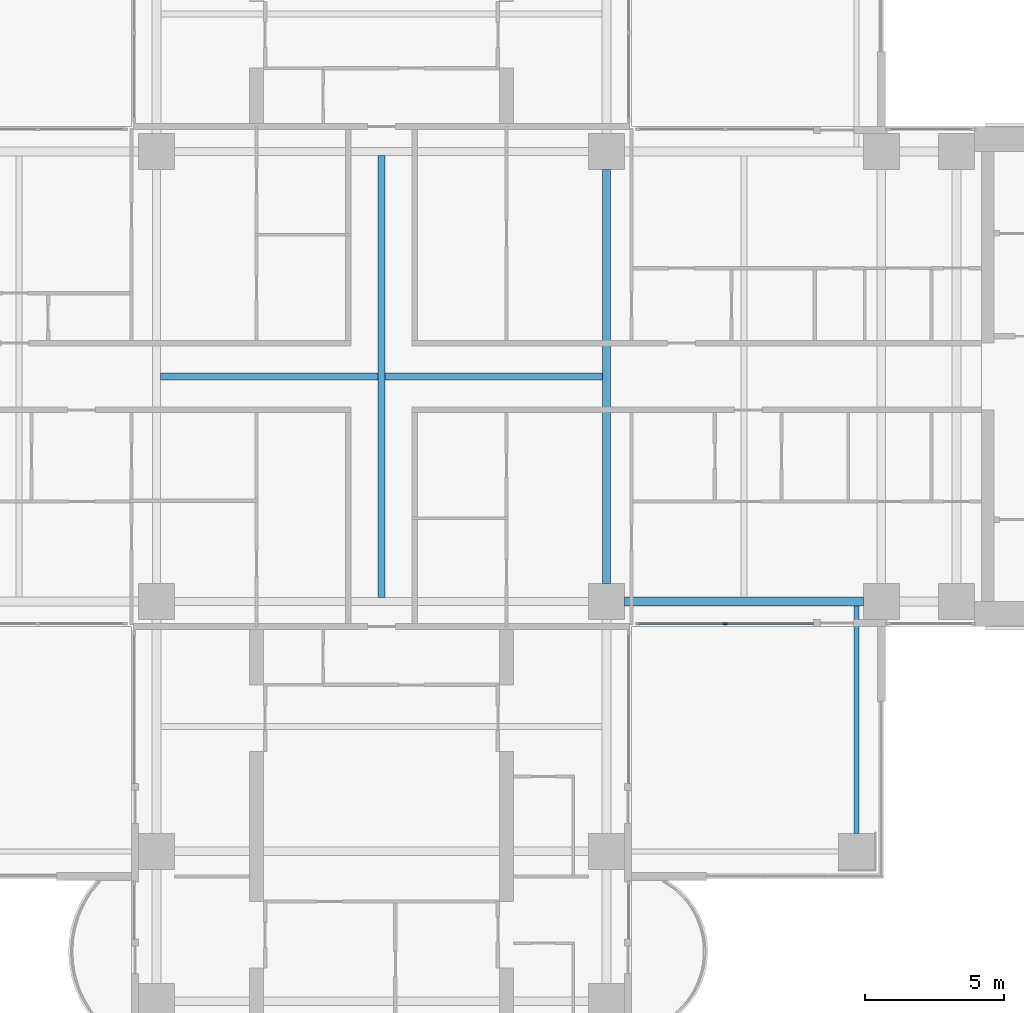
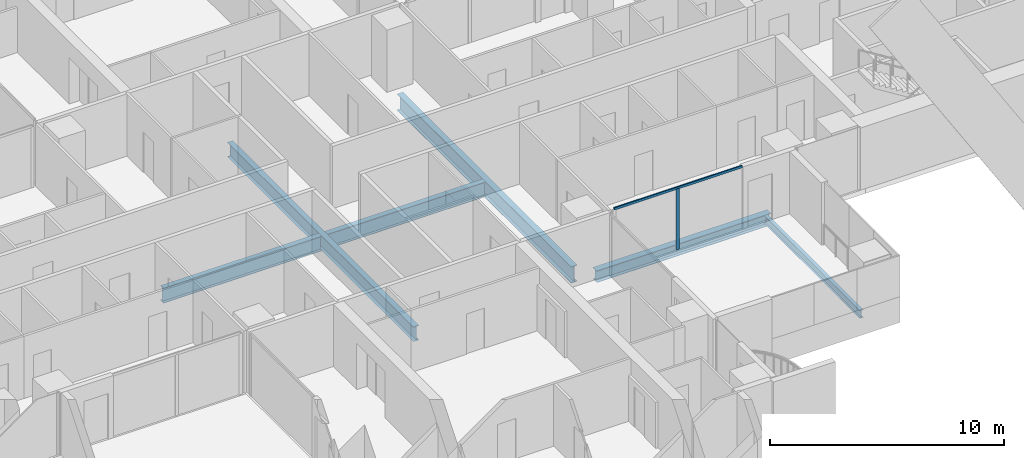
# One storey, part 4 of 22: 6 beams, 2 members, 1 element without a shape of its own.
"""IFC4 building model written with IfcOpenShell, lengths in metres."""

from ifc_helpers import new_model, si_unit, direction, frame, origin, origin_2d, place, context, subcontext, project, spatial, rectangle, i_section, extrude, material, material_profile, profile_set, type_object, element, aggregate, save


model = new_model("IFC4")

# Units and contexts
model_context = context("Model", 3, precision=1e-05, world=origin(), true_north=direction((0.0, 1.0)))
body_context = subcontext(model_context, "Body", "Model", "MODEL_VIEW")
ifc_project = project(units=[si_unit("LENGTHUNIT", "METRE"), si_unit("AREAUNIT", "SQUARE_METRE"), si_unit("VOLUMEUNIT", "CUBIC_METRE"), si_unit("PLANEANGLEUNIT", "RADIAN"), si_unit("MASSUNIT", "GRAM", prefix="KILO")], contexts=[model_context])

# Site, building, storey
site_placement = place(None, origin())
site = spatial("IfcSite", under=ifc_project, at=site_placement, CompositionType="ELEMENT")
building_placement = place(site_placement, origin())
building = spatial("IfcBuilding", under=site, at=building_placement, Name="Perihelion Cross Residences", CompositionType="ELEMENT")
storey_placement = place(building_placement, frame((0.0, 0.0, 50.5)))
storey = spatial("IfcBuildingStorey", under=building, at=storey_placement, Name="L09", CompositionType="ELEMENT", Elevation=50.5)

# Curtain wall, members
ifc_material_1 = material(Name="Bronze anodised aluminium, tinted glazing", Category="aluminium")
curtain_wall_type = type_object("IfcCurtainWallType", Name="CW1", PredefinedType="NOTDEFINED", material=ifc_material_1)
curtain_wall_placement = place(storey_placement, origin())
curtain_wall = element("IfcCurtainWall", 1, at=curtain_wall_placement, inside=storey, type_object=curtain_wall_type, Name="Curtain wall CW1 L09 east side south bay 1", PredefinedType="NOTDEFINED")
ifc_material_2 = material(Name="Bronze anodised aluminium", Category="aluminium")
ifc_material_profile_1 = material_profile(ifc_material_2, rectangle(XDim=0.06005859375, YDim=0.159912109375, at=origin_2d()), Name="CW1 mullion")
ifc_profile_set_1 = profile_set([ifc_material_profile_1], Name="Bronze anodised aluminium")
member_type_1 = type_object("IfcMemberType", Name="CW1 mullion", PredefinedType="MULLION", material=ifc_profile_set_1)
member_1_placement = place(storey_placement, frame((12.375, -8.89990234375, 0.0), z_axis=(0.0, 0.0, 1.0), x_axis=(0.0, 1.0, 0.0)))
member_1 = element("IfcMember", 2, at=member_1_placement, type_object=member_type_1, Name="CW1 mullion 2", PredefinedType="MULLION", context=body_context, shape_type="SweptSolid", body=[
    extrude(rectangle(XDim=0.06005859375, YDim=0.159912109375, at=origin_2d()), origin(), (0.0, 0.0, 1.0), 3.18994140625),
])
ifc_material_3 = material(Name="Bronze anodised aluminium", Category="aluminium")
ifc_material_profile_2 = material_profile(ifc_material_3, rectangle(XDim=0.06005859375, YDim=0.1201171875, at=origin_2d()), Name="CW1 transom")
ifc_profile_set_2 = profile_set([ifc_material_profile_2], Name="Bronze anodised aluminium")
member_type_2 = type_object("IfcMemberType", Name="CW1 transom", PredefinedType="USERDEFINED", material=ifc_profile_set_2)
member_2_placement = place(storey_placement, frame((9.22998046875, -8.89990234375, 3.219970703125), z_axis=(1.0, 0.0, 0.0), x_axis=(0.0, 1.0, 0.0)))
member_2 = element("IfcMember", 3, at=member_2_placement, type_object=member_type_2, Name="CW1 head transom", ObjectType="TRANSOM", PredefinedType="USERDEFINED", context=body_context, shape_type="SweptSolid", body=[
    extrude(rectangle(XDim=0.06005859375, YDim=0.1201171875, at=origin_2d()), origin(), (0.0, 0.0, 1.0), 6.320068359375),
])
aggregate(curtain_wall, [member_1, member_2])

# Beams
ifc_material_4 = material(Name="Steel S355", Category="steel")
ifc_material_profile_3 = material_profile(ifc_material_4, i_section(OverallWidth=0.177978515625, OverallDepth=0.406005859375, WebThickness=0.0078125, FlangeThickness=0.0126953125, at=origin_2d()), Name="W410x60")
ifc_profile_set_3 = profile_set([ifc_material_profile_3], Name="Steel S355")
beam_type_1 = type_object("IfcBeamType", Name="Core edge beam W410x60", PredefinedType="BEAM", material=ifc_profile_set_3)
beam_1_placement = place(storey_placement, frame((17.10009765625, -8.262451171875, -0.452880859375), z_axis=(0.0, -1.0, 0.0), x_axis=(1.0, 0.0, 0.0)))
element("IfcBeam", 4, at=beam_1_placement, inside=storey, type_object=beam_type_1, Name="Core edge beam TB2 L09 corner no. 5", PredefinedType="BEAM", context=body_context, shape_type="SweptSolid", body=[
    extrude(i_section(OverallWidth=0.177978515625, OverallDepth=0.406005859375, WebThickness=0.0078125, FlangeThickness=0.0126953125, at=origin_2d()), origin(), (0.0, 0.0, 1.0), 8.1875),
])
ifc_material_5 = material(Name="Steel S355", Category="steel")
ifc_material_profile_4 = material_profile(ifc_material_5, i_section(OverallWidth=0.324951171875, OverallDepth=0.616943359375, WebThickness=0.013916015625, FlangeThickness=0.021484375, at=origin_2d()), Name="W610x174")
ifc_profile_set_4 = profile_set([ifc_material_profile_4], Name="Steel S355")
beam_type_2 = type_object("IfcBeamType", Name="Edge beam W610x174", PredefinedType="SPANDREL", material=ifc_profile_set_4)
beam_2_placement = place(storey_placement, frame((8.75, -8.10009765625, -0.55859375), z_axis=(1.0, 0.0, 0.0), x_axis=(0.0, 1.0, 0.0)))
element("IfcBeam", 5, at=beam_2_placement, inside=storey, type_object=beam_type_2, Name="Edge beam SB2 L09 no. 18", PredefinedType="SPANDREL", context=body_context, shape_type="SweptSolid", body=[
    extrude(i_section(OverallWidth=0.324951171875, OverallDepth=0.616943359375, WebThickness=0.013916015625, FlangeThickness=0.021484375, at=origin_2d()), origin(), (0.0, 0.0, 1.0), 8.60009765625),
])
ifc_material_6 = material(Name="Steel S355", Category="steel")
ifc_material_profile_5 = material_profile(ifc_material_6, i_section(OverallWidth=0.26708984375, OverallDepth=0.77001953125, WebThickness=0.015625, FlangeThickness=0.025390625, at=origin_2d()), Name="W760x196")
ifc_profile_set_5 = profile_set([ifc_material_profile_5], Name="Steel S355")
beam_type_3 = type_object("IfcBeamType", Name="Hub cross beam W760x196", PredefinedType="BEAM", material=ifc_profile_set_5)
beam_3_placement = place(storey_placement, frame((0.0, -7.9541015625, -0.635009765625), z_axis=(0.0, 1.0, 0.0), x_axis=(-1.0, 0.0, 0.0)))
element("IfcBeam", 6, at=beam_3_placement, inside=storey, type_object=beam_type_3, Name="Hub cross beam XB2 L09 no. 1", PredefinedType="BEAM", context=body_context, shape_type="SweptSolid", body=[
    extrude(i_section(OverallWidth=0.26708984375, OverallDepth=0.77001953125, WebThickness=0.015625, FlangeThickness=0.025390625, at=origin_2d()), origin(), (0.0, 0.0, 1.0), 15.908203125),
])
for number, where, z_axis, x_axis, name in (
    (7, (-7.9541015625, 0.0, -0.635009765625), (1.0, 0.0, 0.0), (0.0, 1.0, 0.0), "Hub cross beam XB2 L09 1 no. 1"),
    (8, (0.133544921875, 0.0, -0.635009765625), (1.0, 0.0, 0.0), (0.0, 1.0, 0.0), "Hub cross beam XB2 L09 2 no. 1"),
):
    element("IfcBeam", number, at=place(storey_placement, frame(where, z_axis=z_axis, x_axis=x_axis)), inside=storey, type_object=beam_type_3, Name=name, PredefinedType="BEAM", context=body_context, shape_type="SweptSolid", body=[
        extrude(i_section(OverallWidth=0.26708984375, OverallDepth=0.77001953125, WebThickness=0.015625, FlangeThickness=0.025390625, at=origin_2d()), origin(), (0.0, 0.0, 1.0), 7.820556640625),
    ])
ifc_material_7 = material(Name="Steel S355", Category="steel")
ifc_material_profile_6 = material_profile(ifc_material_7, i_section(OverallWidth=0.2919921875, OverallDepth=0.85888671875, WebThickness=0.01708984375, FlangeThickness=0.031005859375, at=origin_2d()), Name="W840x251")
ifc_profile_set_6 = profile_set([ifc_material_profile_6], Name="Steel S355")
beam_type_4 = type_object("IfcBeamType", Name="Hub ring girder W840x251", PredefinedType="BEAM", material=ifc_profile_set_6)
beam_4_placement = place(storey_placement, frame((8.10009765625, -7.449951171875, -0.679443359375), z_axis=(0.0, 1.0, 0.0), x_axis=(-1.0, 0.0, 0.0)))
element("IfcBeam", 9, at=beam_4_placement, inside=storey, type_object=beam_type_4, Name="Hub ring girder RG2 L09 no. 3", PredefinedType="BEAM", context=body_context, shape_type="SweptSolid", body=[
    extrude(i_section(OverallWidth=0.2919921875, OverallDepth=0.85888671875, WebThickness=0.01708984375, FlangeThickness=0.031005859375, at=origin_2d()), origin(), (0.0, 0.0, 1.0), 14.89990234375),
])

save(model, "model.ifc")
